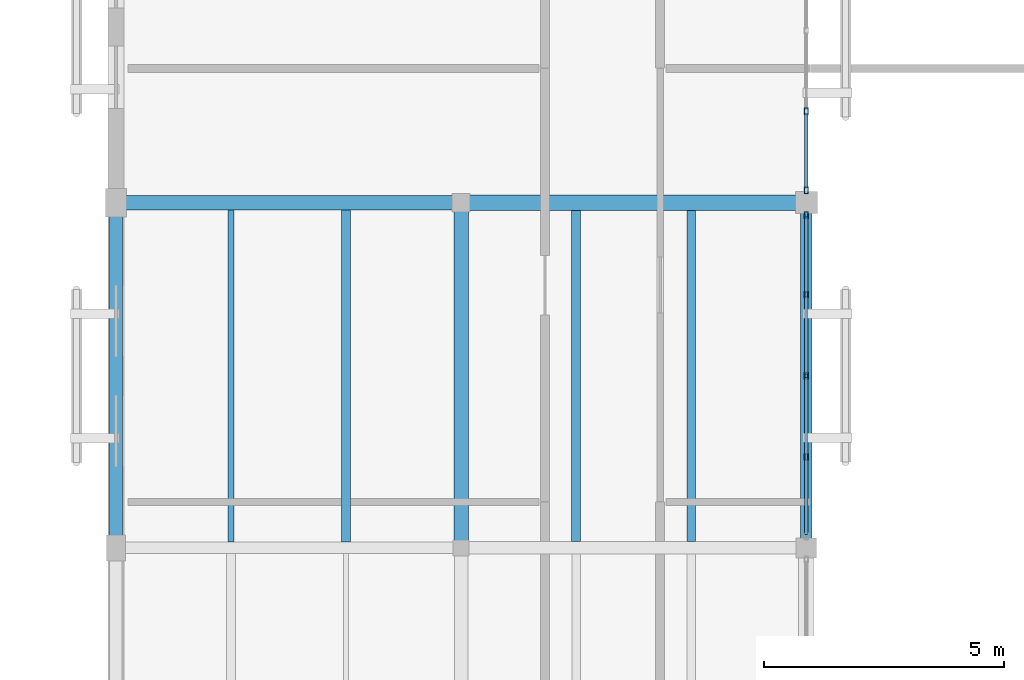
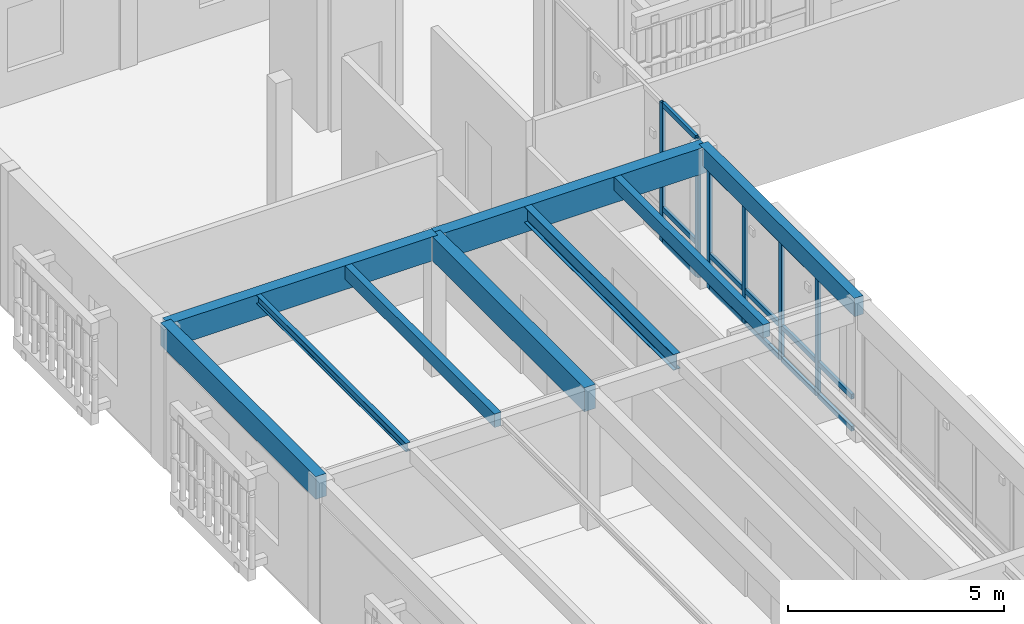
# One storey, part 22 of 61: 21 members, 9 beams, 2 elements without a shape of their own.
"""IFC4 building model written with IfcOpenShell, lengths in metres."""

from ifc_helpers import new_model, si_unit, direction, frame, origin, origin_2d, place, context, subcontext, project, spatial, rectangle, hollow_rectangle, i_section, extrude, material, layer, layer_set, material_profile, profile_set, type_object, element, aggregate, save


model = new_model("IFC4")

# Units and contexts
model_context = context("Model", 3, precision=1e-05, world=origin(), true_north=direction((0.0, 1.0)))
body_context = subcontext(model_context, "Body", "Model", "MODEL_VIEW")
ifc_project = project(units=[si_unit("LENGTHUNIT", "METRE"), si_unit("AREAUNIT", "SQUARE_METRE"), si_unit("VOLUMEUNIT", "CUBIC_METRE"), si_unit("PLANEANGLEUNIT", "RADIAN"), si_unit("MASSUNIT", "GRAM", prefix="KILO")], contexts=[model_context])

# Site, building, storey
site_placement = place(None, origin())
site = spatial("IfcSite", under=ifc_project, at=site_placement, CompositionType="ELEMENT")
building_placement = place(site_placement, origin())
building = spatial("IfcBuilding", under=site, at=building_placement, Name="Mazaris Harbour Polytechnic", CompositionType="ELEMENT")
storey_placement = place(building_placement, frame((0.0, 0.0, 18.0)))
storey = spatial("IfcBuildingStorey", under=building, at=storey_placement, Name="L04", CompositionType="ELEMENT", Elevation=18.0)

# Curtain wall, members
ifc_material_1 = material(Name="Anodised Bronze Aluminium and Low-E Glass", Category="aluminium")
ifc_layer = layer(ifc_material_1, 0.159912109375, Name="Anodised Bronze Aluminium and Low-E Glass")
ifc_layer_set = layer_set([ifc_layer], Name="Anodised Bronze Aluminium and Low-E Glass")
curtain_wall_type = type_object("IfcCurtainWallType", Name="Cloister Court Curtain Wall", PredefinedType="NOTDEFINED", material=ifc_layer_set)
curtain_wall_1_placement = place(storey_placement, origin())
curtain_wall_1 = element("IfcCurtainWall", 1, at=curtain_wall_1_placement, inside=storey, type_object=curtain_wall_type, Name="V4 L04 Curtain Wall 173", PredefinedType="NOTDEFINED")
ifc_material_2 = material(Name="Anodised Bronze Steel S355", Category="steel")
ifc_material_profile_1 = material_profile(ifc_material_2, hollow_rectangle(XDim=0.080078125, YDim=0.139892578125, WallThickness=0.00634765625, at=origin_2d()), Name="RHS 80x140x6.3")
ifc_profile_set_1 = profile_set([ifc_material_profile_1], Name="Anodised Bronze Steel S355")
member_type_1 = type_object("IfcMemberType", Name="Curtain Mullion RHS80x140", PredefinedType="MULLION", material=ifc_profile_set_1)
member_1_placement = place(storey_placement, frame((14.39990234375, 55.89599609375, 0.0), z_axis=(0.0, 0.0, 1.0), x_axis=(-1.0, 0.0, 0.0)))
member_1 = element("IfcMember", 2, at=member_1_placement, type_object=member_type_1, Name="CW-02 mullion 2", PredefinedType="MULLION", context=body_context, shape_type="SweptSolid", body=[
    extrude(hollow_rectangle(XDim=0.080078125, YDim=0.139892578125, WallThickness=0.00634765625, at=origin_2d()), origin(), (0.0, 0.0, 1.0), 3.405029296875),
])
member_2_placement = place(storey_placement, frame((14.39990234375, 57.590087890625, 0.0), z_axis=(0.0, 0.0, 1.0), x_axis=(-1.0, 0.0, 0.0)))
member_2 = element("IfcMember", 3, at=member_2_placement, type_object=member_type_1, Name="CW-02 mullion 3", PredefinedType="MULLION", context=body_context, shape_type="SweptSolid", body=[
    extrude(hollow_rectangle(XDim=0.080078125, YDim=0.139892578125, WallThickness=0.00634765625, at=origin_2d()), origin(), (0.0, 0.0, 1.0), 3.405029296875),
])
member_3_placement = place(storey_placement, frame((14.39990234375, 59.283935546875, 0.0), z_axis=(0.0, 0.0, 1.0), x_axis=(-1.0, 0.0, 0.0)))
member_3 = element("IfcMember", 4, at=member_3_placement, type_object=member_type_1, Name="CW-02 mullion 4", PredefinedType="MULLION", context=body_context, shape_type="SweptSolid", body=[
    extrude(hollow_rectangle(XDim=0.080078125, YDim=0.139892578125, WallThickness=0.00634765625, at=origin_2d()), origin(), (0.0, 0.0, 1.0), 3.405029296875),
])
member_4_placement = place(storey_placement, frame((14.39990234375, 60.93798828125, 0.0), z_axis=(0.0, 0.0, 1.0), x_axis=(-1.0, 0.0, 0.0)))
member_4 = element("IfcMember", 5, at=member_4_placement, type_object=member_type_1, Name="CW-02 mullion 5", PredefinedType="MULLION", context=body_context, shape_type="SweptSolid", body=[
    extrude(hollow_rectangle(XDim=0.080078125, YDim=0.139892578125, WallThickness=0.00634765625, at=origin_2d()), origin(), (0.0, 0.0, 1.0), 3.405029296875),
])

curtain_wall_2_placement = place(storey_placement, origin())
curtain_wall_2 = element("IfcCurtainWall", 6, at=curtain_wall_2_placement, inside=storey, type_object=curtain_wall_type, Name="V4 L04 Curtain Wall 174", PredefinedType="NOTDEFINED")
member_5_placement = place(storey_placement, frame((14.39990234375, 61.4619140625, 0.0), z_axis=(0.0, 0.0, 1.0), x_axis=(-1.0, 0.0, 0.0)))
member_5 = element("IfcMember", 7, at=member_5_placement, type_object=member_type_1, Name="CW-02 mullion 1", PredefinedType="MULLION", context=body_context, shape_type="SweptSolid", body=[
    extrude(hollow_rectangle(XDim=0.080078125, YDim=0.139892578125, WallThickness=0.00634765625, at=origin_2d()), origin(), (0.0, 0.0, 1.0), 3.93505859375),
])
member_6_placement = place(storey_placement, frame((14.39990234375, 63.10595703125, 0.0), z_axis=(0.0, 0.0, 1.0), x_axis=(-1.0, 0.0, 0.0)))
member_6 = element("IfcMember", 8, at=member_6_placement, type_object=member_type_1, Name="CW-02 mullion 2", PredefinedType="MULLION", context=body_context, shape_type="SweptSolid", body=[
    extrude(hollow_rectangle(XDim=0.080078125, YDim=0.139892578125, WallThickness=0.00634765625, at=origin_2d()), origin(), (0.0, 0.0, 1.0), 3.93505859375),
])

# Member
ifc_material_3 = material(Name="Anodised Bronze Steel S355", Category="steel")
ifc_material_profile_2 = material_profile(ifc_material_3, hollow_rectangle(XDim=0.080078125, YDim=0.139892578125, WallThickness=0.00634765625, at=origin_2d()), Name="RHS 80x140x6.3")
ifc_profile_set_2 = profile_set([ifc_material_profile_2], Name="Anodised Bronze Steel S355")
member_type_2 = type_object("IfcMemberType", Name="Curtain Transom RHS80x140", PredefinedType="USERDEFINED", material=ifc_profile_set_2)
member_7_placement = place(storey_placement, frame((14.39990234375, 54.281982421875, 0.0400390625), z_axis=(0.0, 1.0, 0.0), x_axis=(-1.0, 0.0, 0.0)))
member_7 = element("IfcMember", 9, at=member_7_placement, type_object=member_type_2, Name="CW-02 transom 1.1", ObjectType="TRANSOM", PredefinedType="USERDEFINED", context=body_context, shape_type="SweptSolid", body=[
    extrude(hollow_rectangle(XDim=0.080078125, YDim=0.139892578125, WallThickness=0.00634765625, at=origin_2d()), origin(), (0.0, 0.0, 1.0), 1.573974609375),
])

member_8_placement = place(storey_placement, frame((14.39990234375, 54.281982421875, 0.949951171875), z_axis=(0.0, 1.0, 0.0), x_axis=(-1.0, 0.0, 0.0)))
member_8 = element("IfcMember", 10, at=member_8_placement, type_object=member_type_2, Name="CW-02 transom 1.2", ObjectType="TRANSOM", PredefinedType="USERDEFINED", context=body_context, shape_type="SweptSolid", body=[
    extrude(hollow_rectangle(XDim=0.080078125, YDim=0.139892578125, WallThickness=0.00634765625, at=origin_2d()), origin(), (0.0, 0.0, 1.0), 1.573974609375),
])

member_9_placement = place(storey_placement, frame((14.39990234375, 54.281982421875, 3.364990234375), z_axis=(0.0, 1.0, 0.0), x_axis=(-1.0, 0.0, 0.0)))
member_9 = element("IfcMember", 11, at=member_9_placement, type_object=member_type_2, Name="CW-02 transom 1.3", ObjectType="TRANSOM", PredefinedType="USERDEFINED", context=body_context, shape_type="SweptSolid", body=[
    extrude(hollow_rectangle(XDim=0.080078125, YDim=0.139892578125, WallThickness=0.00634765625, at=origin_2d()), origin(), (0.0, 0.0, 1.0), 1.573974609375),
])

member_10_placement = place(storey_placement, frame((14.39990234375, 55.93603515625, 0.0400390625), z_axis=(0.0, 1.0, 0.0), x_axis=(-1.0, 0.0, 0.0)))
member_10 = element("IfcMember", 12, at=member_10_placement, type_object=member_type_2, Name="CW-02 transom 2.1", ObjectType="TRANSOM", PredefinedType="USERDEFINED", context=body_context, shape_type="SweptSolid", body=[
    extrude(hollow_rectangle(XDim=0.080078125, YDim=0.139892578125, WallThickness=0.00634765625, at=origin_2d()), origin(), (0.0, 0.0, 1.0), 1.614013671875),
])

member_11_placement = place(storey_placement, frame((14.39990234375, 55.93603515625, 0.949951171875), z_axis=(0.0, 1.0, 0.0), x_axis=(-1.0, 0.0, 0.0)))
member_11 = element("IfcMember", 13, at=member_11_placement, type_object=member_type_2, Name="CW-02 transom 2.2", ObjectType="TRANSOM", PredefinedType="USERDEFINED", context=body_context, shape_type="SweptSolid", body=[
    extrude(hollow_rectangle(XDim=0.080078125, YDim=0.139892578125, WallThickness=0.00634765625, at=origin_2d()), origin(), (0.0, 0.0, 1.0), 1.614013671875),
])

member_12_placement = place(storey_placement, frame((14.39990234375, 55.93603515625, 3.364990234375), z_axis=(0.0, 1.0, 0.0), x_axis=(-1.0, 0.0, 0.0)))
member_12 = element("IfcMember", 14, at=member_12_placement, type_object=member_type_2, Name="CW-02 transom 2.3", ObjectType="TRANSOM", PredefinedType="USERDEFINED", context=body_context, shape_type="SweptSolid", body=[
    extrude(hollow_rectangle(XDim=0.080078125, YDim=0.139892578125, WallThickness=0.00634765625, at=origin_2d()), origin(), (0.0, 0.0, 1.0), 1.614013671875),
])

member_13_placement = place(storey_placement, frame((14.39990234375, 57.6298828125, 0.0400390625), z_axis=(0.0, 1.0, 0.0), x_axis=(-1.0, 0.0, 0.0)))
member_13 = element("IfcMember", 15, at=member_13_placement, type_object=member_type_2, Name="CW-02 transom 3.1", ObjectType="TRANSOM", PredefinedType="USERDEFINED", context=body_context, shape_type="SweptSolid", body=[
    extrude(hollow_rectangle(XDim=0.080078125, YDim=0.139892578125, WallThickness=0.00634765625, at=origin_2d()), origin(), (0.0, 0.0, 1.0), 1.614013671875),
])

member_14_placement = place(storey_placement, frame((14.39990234375, 57.6298828125, 0.949951171875), z_axis=(0.0, 1.0, 0.0), x_axis=(-1.0, 0.0, 0.0)))
member_14 = element("IfcMember", 16, at=member_14_placement, type_object=member_type_2, Name="CW-02 transom 3.2", ObjectType="TRANSOM", PredefinedType="USERDEFINED", context=body_context, shape_type="SweptSolid", body=[
    extrude(hollow_rectangle(XDim=0.080078125, YDim=0.139892578125, WallThickness=0.00634765625, at=origin_2d()), origin(), (0.0, 0.0, 1.0), 1.614013671875),
])

member_15_placement = place(storey_placement, frame((14.39990234375, 57.6298828125, 3.364990234375), z_axis=(0.0, 1.0, 0.0), x_axis=(-1.0, 0.0, 0.0)))
member_15 = element("IfcMember", 17, at=member_15_placement, type_object=member_type_2, Name="CW-02 transom 3.3", ObjectType="TRANSOM", PredefinedType="USERDEFINED", context=body_context, shape_type="SweptSolid", body=[
    extrude(hollow_rectangle(XDim=0.080078125, YDim=0.139892578125, WallThickness=0.00634765625, at=origin_2d()), origin(), (0.0, 0.0, 1.0), 1.614013671875),
])

member_16_placement = place(storey_placement, frame((14.39990234375, 59.323974609375, 0.0400390625), z_axis=(0.0, 1.0, 0.0), x_axis=(-1.0, 0.0, 0.0)))
member_16 = element("IfcMember", 18, at=member_16_placement, type_object=member_type_2, Name="CW-02 transom 4.1", ObjectType="TRANSOM", PredefinedType="USERDEFINED", context=body_context, shape_type="SweptSolid", body=[
    extrude(hollow_rectangle(XDim=0.080078125, YDim=0.139892578125, WallThickness=0.00634765625, at=origin_2d()), origin(), (0.0, 0.0, 1.0), 1.573974609375),
])

member_17_placement = place(storey_placement, frame((14.39990234375, 59.323974609375, 0.949951171875), z_axis=(0.0, 1.0, 0.0), x_axis=(-1.0, 0.0, 0.0)))
member_17 = element("IfcMember", 19, at=member_17_placement, type_object=member_type_2, Name="CW-02 transom 4.2", ObjectType="TRANSOM", PredefinedType="USERDEFINED", context=body_context, shape_type="SweptSolid", body=[
    extrude(hollow_rectangle(XDim=0.080078125, YDim=0.139892578125, WallThickness=0.00634765625, at=origin_2d()), origin(), (0.0, 0.0, 1.0), 1.573974609375),
])

member_18_placement = place(storey_placement, frame((14.39990234375, 59.323974609375, 3.364990234375), z_axis=(0.0, 1.0, 0.0), x_axis=(-1.0, 0.0, 0.0)))
member_18 = element("IfcMember", 20, at=member_18_placement, type_object=member_type_2, Name="CW-02 transom 4.3", ObjectType="TRANSOM", PredefinedType="USERDEFINED", context=body_context, shape_type="SweptSolid", body=[
    extrude(hollow_rectangle(XDim=0.080078125, YDim=0.139892578125, WallThickness=0.00634765625, at=origin_2d()), origin(), (0.0, 0.0, 1.0), 1.573974609375),
])

aggregate(curtain_wall_1, [member_1, member_2, member_3, member_4, member_7, member_8, member_9, member_10, member_11, member_12, member_13, member_14, member_15, member_16, member_17, member_18])

member_19_placement = place(storey_placement, frame((14.39990234375, 61.501953125, 0.0400390625), z_axis=(0.0, 1.0, 0.0), x_axis=(-1.0, 0.0, 0.0)))
member_19 = element("IfcMember", 21, at=member_19_placement, type_object=member_type_2, Name="CW-02 transom 1.1", ObjectType="TRANSOM", PredefinedType="USERDEFINED", context=body_context, shape_type="SweptSolid", body=[
    extrude(hollow_rectangle(XDim=0.080078125, YDim=0.139892578125, WallThickness=0.00634765625, at=origin_2d()), origin(), (0.0, 0.0, 1.0), 1.56396484375),
])

member_20_placement = place(storey_placement, frame((14.39990234375, 61.501953125, 0.949951171875), z_axis=(0.0, 1.0, 0.0), x_axis=(-1.0, 0.0, 0.0)))
member_20 = element("IfcMember", 22, at=member_20_placement, type_object=member_type_2, Name="CW-02 transom 1.2", ObjectType="TRANSOM", PredefinedType="USERDEFINED", context=body_context, shape_type="SweptSolid", body=[
    extrude(hollow_rectangle(XDim=0.080078125, YDim=0.139892578125, WallThickness=0.00634765625, at=origin_2d()), origin(), (0.0, 0.0, 1.0), 1.56396484375),
])

member_21_placement = place(storey_placement, frame((14.39990234375, 61.501953125, 3.89501953125), z_axis=(0.0, 1.0, 0.0), x_axis=(-1.0, 0.0, 0.0)))
member_21 = element("IfcMember", 23, at=member_21_placement, type_object=member_type_2, Name="CW-02 transom 1.3", ObjectType="TRANSOM", PredefinedType="USERDEFINED", context=body_context, shape_type="SweptSolid", body=[
    extrude(hollow_rectangle(XDim=0.080078125, YDim=0.139892578125, WallThickness=0.00634765625, at=origin_2d()), origin(), (0.0, 0.0, 1.0), 1.56396484375),
])

aggregate(curtain_wall_2, [member_5, member_6, member_19, member_20, member_21])

# Beams
ifc_material_4 = material(Name="Glulam GL32h", Category="wood")
ifc_material_profile_3 = material_profile(ifc_material_4, rectangle(XDim=0.239990234375, YDim=0.52001953125, at=origin_2d()), Name="RECT240x520")
ifc_profile_set_3 = profile_set([ifc_material_profile_3], Name="Glulam GL32h")
beam_type_1 = type_object("IfcBeamType", Name="Glulam Girder 240x520", PredefinedType="BEAM", material=ifc_profile_set_3)
beam_1_placement = place(storey_placement, frame((14.39990234375, 54.0, 3.675048828125), z_axis=(0.0, 1.0, 0.0), x_axis=(-1.0, 0.0, 0.0)))
element("IfcBeam", 24, at=beam_1_placement, inside=storey, type_object=beam_type_1, Name="V4 L04 Tie Girder 2415", PredefinedType="BEAM", context=body_context, shape_type="SweptSolid", body=[
    extrude(rectangle(XDim=0.239990234375, YDim=0.52001953125, at=origin_2d()), origin(), (0.0, 0.0, 1.0), 7.199951171875),
])
ifc_material_5 = material(Name="Glulam GL32h", Category="wood")
ifc_material_profile_4 = material_profile(ifc_material_5, rectangle(XDim=0.280029296875, YDim=0.639892578125, at=origin_2d()), Name="RECT280x640")
ifc_profile_set_4 = profile_set([ifc_material_profile_4], Name="Glulam GL32h")
beam_type_2 = type_object("IfcBeamType", Name="Glulam Girder 280x640 Exterior", PredefinedType="BEAM", material=ifc_profile_set_4)
beam_2_placement = place(storey_placement, frame((0.0, 54.0, 3.614990234375), z_axis=(0.0, 1.0, 0.0), x_axis=(-1.0, 0.0, 0.0)))
element("IfcBeam", 25, at=beam_2_placement, inside=storey, type_object=beam_type_2, Name="V4 L04 Tie Girder 2402", PredefinedType="BEAM", context=body_context, shape_type="SweptSolid", body=[
    extrude(rectangle(XDim=0.280029296875, YDim=0.639892578125, at=origin_2d()), origin(), (0.0, 0.0, 1.0), 7.199951171875),
])
ifc_material_6 = material(Name="Glulam GL32h", Category="wood")
ifc_material_profile_5 = material_profile(ifc_material_6, rectangle(XDim=0.300048828125, YDim=0.679931640625, at=origin_2d()), Name="RECT300x680")
ifc_profile_set_5 = profile_set([ifc_material_profile_5], Name="Glulam GL32h")
beam_type_3 = type_object("IfcBeamType", Name="Glulam Girder 300x680", PredefinedType="BEAM", material=ifc_profile_set_5)
beam_3_placement = place(storey_placement, frame((7.199951171875, 54.0, 3.594970703125), z_axis=(0.0, 1.0, 0.0), x_axis=(-1.0, 0.0, 0.0)))
element("IfcBeam", 26, at=beam_3_placement, inside=storey, type_object=beam_type_3, Name="V4 L04 Tie Girder 2408", PredefinedType="BEAM", context=body_context, shape_type="SweptSolid", body=[
    extrude(rectangle(XDim=0.300048828125, YDim=0.679931640625, at=origin_2d()), origin(), (0.0, 0.0, 1.0), 7.199951171875),
])
ifc_material_7 = material(Name="Glulam GL32h", Category="wood")
ifc_material_profile_6 = material_profile(ifc_material_7, rectangle(XDim=0.300048828125, YDim=0.679931640625, at=origin_2d()), Name="RECT300x680")
ifc_profile_set_6 = profile_set([ifc_material_profile_6], Name="Glulam GL32h")
beam_type_4 = type_object("IfcBeamType", Name="Glulam Girder 300x680 Exterior", PredefinedType="BEAM", material=ifc_profile_set_6)
beam_4_placement = place(storey_placement, frame((0.0, 61.199951171875, 3.594970703125), z_axis=(1.0, 0.0, 0.0), x_axis=(0.0, 1.0, 0.0)))
element("IfcBeam", 27, at=beam_4_placement, inside=storey, type_object=beam_type_4, Name="V4 L04 Girder 2393", PredefinedType="BEAM", context=body_context, shape_type="SweptSolid", body=[
    extrude(rectangle(XDim=0.300048828125, YDim=0.679931640625, at=origin_2d()), origin(), (0.0, 0.0, 1.0), 7.199951171875),
])
ifc_material_8 = material(Name="Glulam GL32h", Category="wood")
ifc_material_profile_7 = material_profile(ifc_material_8, rectangle(XDim=0.320068359375, YDim=0.739990234375, at=origin_2d()), Name="RECT320x740")
ifc_profile_set_7 = profile_set([ifc_material_profile_7], Name="Glulam GL32h")
beam_type_5 = type_object("IfcBeamType", Name="Glulam Girder 320x740 Exterior", PredefinedType="BEAM", material=ifc_profile_set_7)
beam_5_placement = place(storey_placement, frame((7.199951171875, 61.199951171875, 3.56494140625), z_axis=(1.0, 0.0, 0.0), x_axis=(0.0, 1.0, 0.0)))
element("IfcBeam", 28, at=beam_5_placement, inside=storey, type_object=beam_type_5, Name="V4 L04 Girder 2394", PredefinedType="BEAM", context=body_context, shape_type="SweptSolid", body=[
    extrude(rectangle(XDim=0.320068359375, YDim=0.739990234375, at=origin_2d()), origin(), (0.0, 0.0, 1.0), 7.199951171875),
])
ifc_material_9 = material(Name="Glulam GL28h", Category="wood")
ifc_material_profile_8 = material_profile(ifc_material_9, rectangle(XDim=0.179931640625, YDim=0.3798828125, at=origin_2d()), Name="RECT180x380")
ifc_profile_set_8 = profile_set([ifc_material_profile_8], Name="Glulam GL28h")
beam_type_6 = type_object("IfcBeamType", Name="Glulam Joist 180x380", PredefinedType="JOIST", material=ifc_profile_set_8)
beam_6_placement = place(storey_placement, frame((4.800048828125, 54.1201171875, 3.7451171875), z_axis=(0.0, 1.0, 0.0), x_axis=(-1.0, 0.0, 0.0)))
element("IfcBeam", 29, at=beam_6_placement, inside=storey, type_object=beam_type_6, Name="V4 L04 Floor Joist 2445", PredefinedType="JOIST", context=body_context, shape_type="SweptSolid", body=[
    extrude(rectangle(XDim=0.179931640625, YDim=0.3798828125, at=origin_2d()), origin(), (0.0, 0.0, 1.0), 6.929931640625),
])
beam_7_placement = place(storey_placement, frame((12.0, 54.1298828125, 3.7451171875), z_axis=(0.0, 1.0, 0.0), x_axis=(-1.0, 0.0, 0.0)))
element("IfcBeam", 30, at=beam_7_placement, inside=storey, type_object=beam_type_6, Name="V4 L04 Floor Joist 2457", PredefinedType="JOIST", context=body_context, shape_type="SweptSolid", body=[
    extrude(rectangle(XDim=0.179931640625, YDim=0.3798828125, at=origin_2d()), origin(), (0.0, 0.0, 1.0), 6.91015625),
])
ifc_material_10 = material(Name="Steel S355", Category="steel")
ifc_material_profile_9 = material_profile(ifc_material_10, i_section(OverallWidth=0.1201171875, OverallDepth=0.239990234375, WebThickness=0.006103515625, FlangeThickness=0.009765625, FilletRadius=0.014892578125, at=origin_2d()), Name="IPE 240")
ifc_profile_set_9 = profile_set([ifc_material_profile_9], Name="Steel S355")
beam_type_7 = type_object("IfcBeamType", Name="Steel Joist IPE240", PredefinedType="JOIST", material=ifc_profile_set_9)
beam_8_placement = place(storey_placement, frame((2.39990234375, 54.1201171875, 3.81494140625), z_axis=(0.0, 1.0, 0.0), x_axis=(-1.0, 0.0, 0.0)))
element("IfcBeam", 31, at=beam_8_placement, inside=storey, type_object=beam_type_7, Name="V4 L04 Floor Joist 2444", PredefinedType="JOIST", context=body_context, shape_type="SweptSolid", body=[
    extrude(i_section(OverallWidth=0.1201171875, OverallDepth=0.239990234375, WebThickness=0.006103515625, FlangeThickness=0.009765625, FilletRadius=0.014892578125, at=origin_2d()), origin(), (0.0, 0.0, 1.0), 6.929931640625),
])
ifc_material_11 = material(Name="Steel S355", Category="steel")
ifc_material_profile_10 = material_profile(ifc_material_11, i_section(OverallWidth=0.18994140625, OverallDepth=0.449951171875, WebThickness=0.009521484375, FlangeThickness=0.0146484375, FilletRadius=0.02099609375, at=origin_2d()), Name="IPE 450")
ifc_profile_set_10 = profile_set([ifc_material_profile_10], Name="Steel S355")
beam_type_8 = type_object("IfcBeamType", Name="Steel Joist IPE450", PredefinedType="JOIST", material=ifc_profile_set_10)
beam_9_placement = place(storey_placement, frame((9.60009765625, 54.1298828125, 3.7099609375), z_axis=(0.0, 1.0, 0.0), x_axis=(-1.0, 0.0, 0.0)))
element("IfcBeam", 32, at=beam_9_placement, inside=storey, type_object=beam_type_8, Name="V4 L04 Floor Joist 2456", PredefinedType="JOIST", context=body_context, shape_type="SweptSolid", body=[
    extrude(i_section(OverallWidth=0.18994140625, OverallDepth=0.449951171875, WebThickness=0.009521484375, FlangeThickness=0.0146484375, FilletRadius=0.02099609375, at=origin_2d()), origin(), (0.0, 0.0, 1.0), 6.91015625),
])

save(model, "model.ifc")
